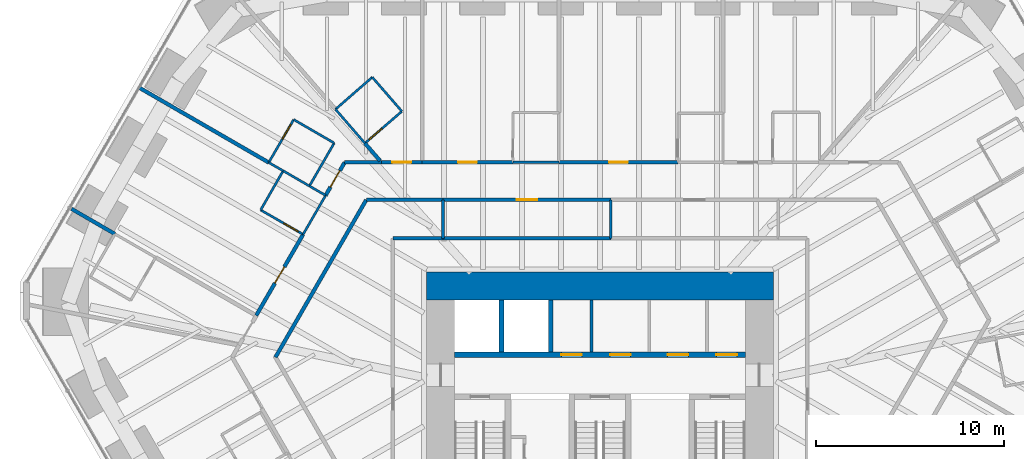
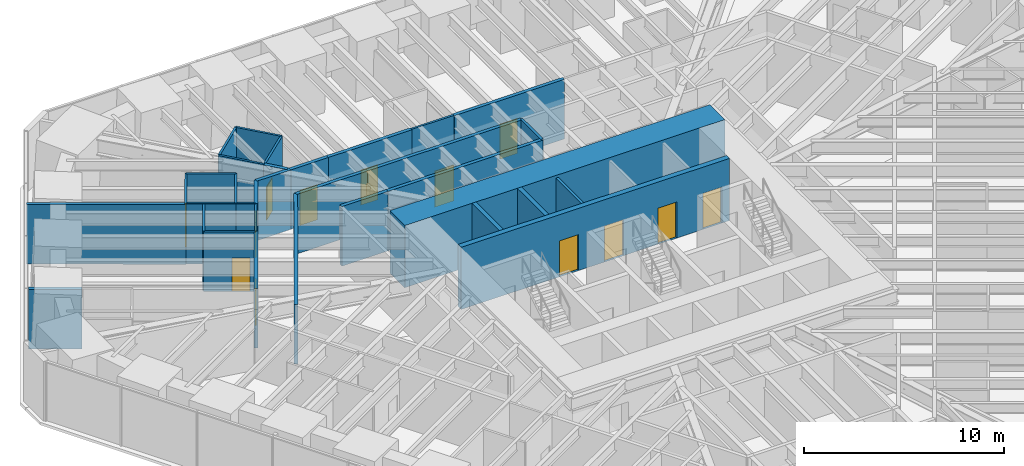
# One storey, part 14 of 17: 35 walls, 13 doors, 13 openings.
"""IFC4 building model written with IfcOpenShell, lengths in metres."""

from ifc_helpers import new_model, si_unit, direction, frame, frame_2d, origin, place, context, subcontext, project, spatial, rectangle, extrude, material, layer, layer_set, type_object, element, fill, save


model = new_model("IFC4")

# Units and contexts
model_context = context("Model", 3, precision=1e-05, world=origin(), true_north=direction((0.0, 1.0)))
body_context = subcontext(model_context, "Body", "Model", "MODEL_VIEW")
ifc_project = project(units=[si_unit("LENGTHUNIT", "METRE"), si_unit("AREAUNIT", "SQUARE_METRE"), si_unit("VOLUMEUNIT", "CUBIC_METRE"), si_unit("PLANEANGLEUNIT", "RADIAN"), si_unit("MASSUNIT", "GRAM", prefix="KILO")], contexts=[model_context])

# Site, building, storey
site_placement = place(None, origin())
site = spatial("IfcSite", under=ifc_project, at=site_placement, CompositionType="ELEMENT")
building_placement = place(site_placement, origin())
building = spatial("IfcBuilding", under=site, at=building_placement, Name="Sandreach Pilgrim Tower", CompositionType="ELEMENT")
storey_placement = place(building_placement, frame((0.0, 0.0, 61.0)))
storey = spatial("IfcBuildingStorey", under=building, at=storey_placement, Name="L14", CompositionType="ELEMENT", Elevation=61.0)

# Walls
ifc_material_1 = material(Name="Gypsum board on steel studs", Category="steel")
ifc_layer_1 = layer(ifc_material_1, 0.14990234375)
ifc_layer_set_1 = layer_set([ifc_layer_1], Name="Back of house wall 150")
wall_type_1 = type_object("IfcWallType", Name="Back of house wall 150", PredefinedType="PARTITIONING", material=ifc_layer_set_1)
wall_1_placement = place(storey_placement, frame((-8.360107421875, 11.449951171875, 0.0), z_axis=(0.0, 0.0, 1.0), x_axis=(0.0, -1.0, 0.0)))
element("IfcWall", 1, at=wall_1_placement, inside=storey, type_object=wall_type_1, Name="Back of house wall L14-057", PredefinedType="PARTITIONING", context=body_context, shape_type="SweptSolid", body=[
    extrude(rectangle(XDim=2.050048828125, YDim=0.14990234375, at=frame_2d((1.02490234375, 0.0))), origin(), (0.0, 0.0, 1.0), 2.8779296875),
])
wall_2_placement = place(storey_placement, frame((0.580078125, 11.449951171875, 0.0), z_axis=(0.0, 0.0, 1.0), x_axis=(0.0, -1.0, 0.0)))
element("IfcWall", 2, at=wall_2_placement, inside=storey, type_object=wall_type_1, Name="Back of house wall L14-090", PredefinedType="PARTITIONING", context=body_context, shape_type="SweptSolid", body=[
    extrude(rectangle(XDim=2.050048828125, YDim=0.14990234375, at=frame_2d((1.02490234375, 0.0))), origin(), (0.0, 0.0, 1.0), 3.639892578125),
])
wall_3_placement = place(storey_placement, frame((-0.449951171875, 3.35009765625, 0.0), z_axis=(0.0, 0.0, 1.0), x_axis=(0.0, 1.0, 0.0)))
element("IfcWall", 3, at=wall_3_placement, inside=storey, type_object=wall_type_1, Name="Core room partition L14 1", PredefinedType="PARTITIONING", context=body_context, shape_type="SweptSolid", body=[
    extrude(rectangle(XDim=2.75, YDim=0.14990234375, at=frame_2d((1.375, 0.0))), origin(), (0.0, 0.0, 1.0), 3.639892578125),
])

# Wall, opening, door
ifc_material_2 = material(Name="Moisture-resistant gypsum board on steel studs", Category="steel")
ifc_layer_2 = layer(ifc_material_2, 0.1201171875)
ifc_layer_set_2 = layer_set([ifc_layer_2], Name="Bathroom partition 120")
wall_type_2 = type_object("IfcWallType", Name="Bathroom partition 120", PredefinedType="PARTITIONING", material=ifc_layer_set_2)
wall_4_placement = place(storey_placement, frame((-18.090087890625, 10.909912109375, 0.0), z_axis=(0.0, 0.0, 1.0), x_axis=(0.866856728041, -0.498557331759, 0.0)))
wall_4 = element("IfcWall", 4, at=wall_4_placement, inside=storey, type_object=wall_type_2, Name="Bathroom partition L14-020", PredefinedType="PARTITIONING", context=body_context, shape_type="SweptSolid", body=[
    extrude(rectangle(XDim=2.607177734375, YDim=0.1201171875, at=frame_2d((1.3037109375, 0.0))), origin(), (0.0, 0.0, 1.0), 3.639892578125),
])
opening_1_placement = place(wall_4_placement, frame((1.4072265625, 0.0, 0.0)))
opening_1 = element("IfcOpeningElement", 5, at=opening_1_placement, cuts=wall_4, Name="Opening D09-19B", PredefinedType="OPENING", context=body_context, shape_type="SweptSolid", body=[
    extrude(rectangle(XDim=0.89990234375, YDim=2.030029296875, at=frame_2d((0.449951171875, 1.01513671875))), frame((0.0, 0.06005859375, 0.0), z_axis=(0.0, -1.0, 0.0), x_axis=(1.0, 0.0, 0.0)), (0.0, 0.0, 1.0), 0.1201171875),
])
ifc_material_3 = material(Name="Timber door, steel frame", Category="steel")
door_type_1 = type_object("IfcDoorType", Name="Bathroom door", OperationType="SINGLE_SWING_LEFT", PredefinedType="DOOR", material=ifc_material_3)
door_1_placement = place(opening_1_placement, origin())
door_1 = element("IfcDoor", 6, at=door_1_placement, inside=storey, type_object=door_type_1, Name="Door 1419B", OperationType="SINGLE_SWING_RIGHT", OverallHeight=2.030029296875, OverallWidth=0.89990234375, PredefinedType="DOOR", context=body_context, shape_type="SweptSolid", body=[
    extrude(rectangle(XDim=0.89990234375, YDim=2.030029296875, at=frame_2d((0.449951171875, 1.01513671875))), frame((0.0, 0.02490234375, 0.0), z_axis=(0.0, -1.0, 0.0), x_axis=(1.0, 0.0, 0.0)), (0.0, 0.0, 1.0), 0.050048828125),
])
fill(opening_1, door_1)

# Walls
wall_5_placement = place(storey_placement, frame((-17.659912109375, 13.43994140625, 0.0), z_axis=(0.0, 0.0, 1.0), x_axis=(0.86820924967, -0.49619824545, 0.0)))
element("IfcWall", 7, at=wall_5_placement, inside=storey, type_object=wall_type_2, Name="Bathroom partition L14-022", PredefinedType="PARTITIONING", context=body_context, shape_type="SweptSolid", body=[
    extrude(rectangle(XDim=0.88671875, YDim=0.1201171875, at=frame_2d((0.443359375, 0.0))), origin(), (0.0, 0.0, 1.0), 3.639892578125),
])
wall_6_placement = place(storey_placement, frame((-16.889892578125, 13.0, 0.0), z_axis=(0.0, 0.0, 1.0), x_axis=(-0.497970509195, -0.867193964446, 0.0)))
element("IfcWall", 8, at=wall_6_placement, inside=storey, type_object=wall_type_2, Name="Bathroom partition L14-024", PredefinedType="PARTITIONING", context=body_context, shape_type="SweptSolid", body=[
    extrude(rectangle(XDim=2.41015625, YDim=0.1201171875, at=frame_2d((1.205078125, 0.0))), origin(), (0.0, 0.0, 1.0), 3.639892578125),
])
wall_7_placement = place(storey_placement, frame((-16.889892578125, 13.0, 0.0), z_axis=(0.0, 0.0, 1.0), x_axis=(0.864822777425, -0.502077248685, 0.0)))
element("IfcWall", 9, at=wall_7_placement, inside=storey, type_object=wall_type_2, Name="Bathroom partition L14-025", PredefinedType="PARTITIONING", context=body_context, shape_type="SweptSolid", body=[
    extrude(rectangle(XDim=1.6171875, YDim=0.1201171875, at=frame_2d((0.80859375, 0.0))), origin(), (0.0, 0.0, 1.0), 3.639892578125),
])

# Wall, opening, door
wall_8_placement = place(storey_placement, frame((-16.330078125, 15.72998046875, 0.0), z_axis=(0.0, 0.0, 1.0), x_axis=(-0.502173326652, -0.864766991738, 0.0)))
wall_8 = element("IfcWall", 10, at=wall_8_placement, inside=storey, type_object=wall_type_2, Name="Bathroom partition L14-029", PredefinedType="PARTITIONING", context=body_context, shape_type="SweptSolid", body=[
    extrude(rectangle(XDim=2.648193359375, YDim=0.1201171875, at=frame_2d((1.32421875, 0.0))), origin(), (0.0, 0.0, 1.0), 3.639892578125),
])
opening_2_placement = place(wall_8_placement, frame((0.300048828125, 0.0, 0.0)))
opening_2 = element("IfcOpeningElement", 11, at=opening_2_placement, cuts=wall_8, Name="Opening D09-20B", PredefinedType="OPENING", context=body_context, shape_type="SweptSolid", body=[
    extrude(rectangle(XDim=0.89990234375, YDim=2.030029296875, at=frame_2d((0.449951171875, 1.01513671875))), frame((0.0, 0.06005859375, 0.0), z_axis=(0.0, -1.0, 0.0), x_axis=(1.0, 0.0, 0.0)), (0.0, 0.0, 1.0), 0.1201171875),
])
door_2_placement = place(opening_2_placement, origin())
door_2 = element("IfcDoor", 12, at=door_2_placement, inside=storey, type_object=door_type_1, Name="Door 1420B", OperationType="SINGLE_SWING_LEFT", OverallHeight=2.030029296875, OverallWidth=0.89990234375, PredefinedType="DOOR", context=body_context, shape_type="SweptSolid", body=[
    extrude(rectangle(XDim=0.89990234375, YDim=2.030029296875, at=frame_2d((0.449951171875, 1.01513671875))), frame((0.0, 0.02490234375, 0.0), z_axis=(0.0, -1.0, 0.0), x_axis=(1.0, 0.0, 0.0)), (0.0, 0.0, 1.0), 0.050048828125),
])
fill(opening_2, door_2)

# Walls
wall_9_placement = place(storey_placement, frame((-15.82666015625, 9.608154296875, 0.0), z_axis=(0.0, 0.0, 1.0), x_axis=(0.499737123639, 0.866177122335, 0.0)))
element("IfcWall", 13, at=wall_9_placement, inside=storey, type_object=wall_type_2, Name="Bathroom partition L14-030", PredefinedType="PARTITIONING", context=body_context, shape_type="SweptSolid", body=[
    extrude(rectangle(XDim=2.401123046875, YDim=0.1201171875, at=frame_2d((1.20068359375, 0.0))), origin(), (0.0, 0.0, 1.0), 3.639892578125),
])
wall_10_placement = place(storey_placement, frame((-15.4912109375, 12.18798828125, 0.0), z_axis=(0.0, 0.0, 1.0), x_axis=(0.865633452576, -0.500678265737, 0.0)))
element("IfcWall", 14, at=wall_10_placement, inside=storey, type_object=wall_type_2, Name="Bathroom partition L14-031", PredefinedType="PARTITIONING", context=body_context, shape_type="SweptSolid", body=[
    extrude(rectangle(XDim=0.99462890625, YDim=0.1201171875, at=frame_2d((0.497314453125, 0.0))), origin(), (0.0, 0.0, 1.0), 3.639892578125),
])
wall_11_placement = place(storey_placement, frame((-15.489990234375, 12.18994140625, 0.0), z_axis=(0.0, 0.0, 1.0), x_axis=(0.499407914056, 0.866366975004, 0.0)))
element("IfcWall", 15, at=wall_11_placement, inside=storey, type_object=wall_type_2, Name="Bathroom partition L14-032", PredefinedType="PARTITIONING", context=body_context, shape_type="SweptSolid", body=[
    extrude(rectangle(XDim=2.643310546875, YDim=0.1201171875, at=frame_2d((1.32177734375, 0.0))), origin(), (0.0, 0.0, 1.0), 3.639892578125),
])
wall_12_placement = place(storey_placement, frame((-14.169921875, 14.47998046875, 0.0), z_axis=(0.0, 0.0, 1.0), x_axis=(-0.865533423938, 0.500851167559, 0.0)))
element("IfcWall", 16, at=wall_12_placement, inside=storey, type_object=wall_type_2, Name="Bathroom partition L14-038", PredefinedType="PARTITIONING", context=body_context, shape_type="SweptSolid", body=[
    extrude(rectangle(XDim=2.495849609375, YDim=0.1201171875, at=frame_2d((1.248046875, 0.0))), origin(), (0.0, 0.0, 1.0), 3.639892578125),
])
wall_13_placement = place(storey_placement, frame((-14.101318359375, 16.27880859375, 0.0), z_axis=(0.0, 0.0, 1.0), x_axis=(0.654868469202, -0.755742871647, 0.0)))
element("IfcWall", 17, at=wall_13_placement, inside=storey, type_object=wall_type_2, Name="Bathroom partition L14-039", PredefinedType="PARTITIONING", context=body_context, shape_type="SweptSolid", body=[
    extrude(rectangle(XDim=2.39599609375, YDim=0.1201171875, at=frame_2d((1.197998046875, 0.0))), origin(), (0.0, 0.0, 1.0), 3.639892578125),
])

# Wall, opening, door
wall_14_placement = place(storey_placement, frame((-12.530029296875, 14.469970703125, 0.0), z_axis=(0.0, 0.0, 1.0), x_axis=(0.757086659925, 0.653314464377, 0.0)))
wall_14 = element("IfcWall", 18, at=wall_14_placement, inside=storey, type_object=wall_type_2, Name="Bathroom partition L14-042", PredefinedType="PARTITIONING", context=body_context, shape_type="SweptSolid", body=[
    extrude(rectangle(XDim=2.60205078125, YDim=0.1201171875, at=frame_2d((1.301025390625, 0.0))), origin(), (0.0, 0.0, 1.0), 3.639892578125),
])
opening_3_placement = place(wall_14_placement, frame((0.300048828125, 0.0, 0.0)))
opening_3 = element("IfcOpeningElement", 19, at=opening_3_placement, cuts=wall_14, Name="Opening D09-01B", PredefinedType="OPENING", context=body_context, shape_type="SweptSolid", body=[
    extrude(rectangle(XDim=0.89990234375, YDim=2.030029296875, at=frame_2d((0.449951171875, 1.01513671875))), frame((0.0, 0.06005859375, 0.0), z_axis=(0.0, -1.0, 0.0), x_axis=(1.0, 0.0, 0.0)), (0.0, 0.0, 1.0), 0.1201171875),
])
door_3_placement = place(opening_3_placement, origin())
door_3 = element("IfcDoor", 20, at=door_3_placement, inside=storey, type_object=door_type_1, Name="Door 1401B", OperationType="SINGLE_SWING_LEFT", OverallHeight=2.030029296875, OverallWidth=0.89990234375, PredefinedType="DOOR", context=body_context, shape_type="SweptSolid", body=[
    extrude(rectangle(XDim=0.89990234375, YDim=2.030029296875, at=frame_2d((0.449951171875, 1.01513671875))), frame((0.0, 0.02490234375, 0.0), z_axis=(0.0, -1.0, 0.0), x_axis=(1.0, 0.0, 0.0)), (0.0, 0.0, 1.0), 0.050048828125),
])
fill(opening_3, door_3)

# Walls
wall_15_placement = place(storey_placement, frame((-12.139892578125, 17.989990234375, 0.0), z_axis=(0.0, 0.0, 1.0), x_axis=(-0.753570046386, -0.657367617996, 0.0)))
element("IfcWall", 21, at=wall_15_placement, inside=storey, type_object=wall_type_2, Name="Bathroom partition L14-045", PredefinedType="PARTITIONING", context=body_context, shape_type="SweptSolid", body=[
    extrude(rectangle(XDim=2.601318359375, YDim=0.1201171875, at=frame_2d((1.30078125, 0.0))), origin(), (0.0, 0.0, 1.0), 3.639892578125),
])
wall_16_placement = place(storey_placement, frame((-10.56005859375, 16.169921875, 0.0), z_axis=(0.0, 0.0, 1.0), x_axis=(-0.65550883331, 0.755187506155, 0.0)))
element("IfcWall", 22, at=wall_16_placement, inside=storey, type_object=wall_type_2, Name="Bathroom partition L14-050", PredefinedType="PARTITIONING", context=body_context, shape_type="SweptSolid", body=[
    extrude(rectangle(XDim=2.41015625, YDim=0.1201171875, at=frame_2d((1.205078125, 0.0))), origin(), (0.0, 0.0, 1.0), 3.639892578125),
])
wall_17_placement = place(storey_placement, frame((-2.18994140625, 13.449951171875, 0.0), z_axis=(0.0, 0.0, 1.0), x_axis=(-1.0, 0.0, 0.0)))
element("IfcWall", 23, at=wall_17_placement, inside=storey, type_object=wall_type_2, Name="Bathroom partition L14-079", PredefinedType="PARTITIONING", context=body_context, shape_type="SweptSolid", body=[
    extrude(rectangle(XDim=2.449951171875, YDim=0.1201171875, at=frame_2d((1.22509765625, 0.0))), origin(), (0.0, 0.0, 1.0), 3.639892578125),
])

# Wall, openings, doors
ifc_material_4 = material(Name="Concrete 10000 psi", Category="concrete")
ifc_layer_3 = layer(ifc_material_4, 0.300048828125)
ifc_layer_set_3 = layer_set([ifc_layer_3], Name="Core inner wall 300")
wall_type_3 = type_object("IfcWallType", Name="Core inner wall 300", PredefinedType="SHEAR", material=ifc_layer_set_3)
wall_18_placement = place(storey_placement, frame((-7.75, 3.199951171875, 0.0), z_axis=(0.0, 0.0, 1.0), x_axis=(1.0, 0.0, 0.0)))
wall_18 = element("IfcWall", 24, at=wall_18_placement, inside=storey, type_object=wall_type_3, Name="Core wall PN L14", PredefinedType="SHEAR", context=body_context, shape_type="SweptSolid", body=[
    extrude(rectangle(XDim=15.5, YDim=0.300048828125, at=frame_2d((7.75, 0.0))), origin(), (0.0, 0.0, 1.0), 3.800048828125),
])
opening_4_placement = place(wall_18_placement, frame((5.6875, 0.0, 0.0)))
opening_4 = element("IfcOpeningElement", 25, at=opening_4_placement, cuts=wall_18, Name="Opening D11L", PredefinedType="OPENING", context=body_context, shape_type="SweptSolid", body=[
    extrude(rectangle(XDim=1.10009765625, YDim=2.199951171875, at=frame_2d((0.550048828125, 1.10009765625))), frame((0.0, 0.14990234375, 0.0), z_axis=(0.0, -1.0, 0.0), x_axis=(1.0, 0.0, 0.0)), (0.0, 0.0, 1.0), 0.300048828125),
])
opening_5_placement = place(wall_18_placement, frame((8.28759765625, 0.0, 0.0)))
opening_5 = element("IfcOpeningElement", 26, at=opening_5_placement, cuts=wall_18, Name="Opening D11L", PredefinedType="OPENING", context=body_context, shape_type="SweptSolid", body=[
    extrude(rectangle(XDim=1.10009765625, YDim=2.199951171875, at=frame_2d((0.550048828125, 1.10009765625))), frame((0.0, 0.14990234375, 0.0), z_axis=(0.0, -1.0, 0.0), x_axis=(1.0, 0.0, 0.0)), (0.0, 0.0, 1.0), 0.300048828125),
])
opening_6_placement = place(wall_18_placement, frame((11.362548828125, 0.0, 0.0)))
opening_6 = element("IfcOpeningElement", 27, at=opening_6_placement, cuts=wall_18, Name="Opening D11L", PredefinedType="OPENING", context=body_context, shape_type="SweptSolid", body=[
    extrude(rectangle(XDim=1.10009765625, YDim=2.199951171875, at=frame_2d((0.550048828125, 1.10009765625))), frame((0.0, 0.14990234375, 0.0), z_axis=(0.0, -1.0, 0.0), x_axis=(1.0, 0.0, 0.0)), (0.0, 0.0, 1.0), 0.300048828125),
])
opening_7_placement = place(wall_18_placement, frame((13.96240234375, 0.0, 0.0)))
opening_7 = element("IfcOpeningElement", 28, at=opening_7_placement, cuts=wall_18, Name="Opening D11L", PredefinedType="OPENING", context=body_context, shape_type="SweptSolid", body=[
    extrude(rectangle(XDim=1.10009765625, YDim=2.199951171875, at=frame_2d((0.550048828125, 1.10009765625))), frame((0.0, 0.14990234375, 0.0), z_axis=(0.0, -1.0, 0.0), x_axis=(1.0, 0.0, 0.0)), (0.0, 0.0, 1.0), 0.300048828125),
])
ifc_material_5 = material(Name="Steel door and frame, smoke seals", Category="steel")
door_type_2 = type_object("IfcDoorType", Name="Core room door", OperationType="SINGLE_SWING_LEFT", PredefinedType="DOOR", material=ifc_material_5)
door_4_placement = place(opening_4_placement, origin())
door_4 = element("IfcDoor", 29, at=door_4_placement, inside=storey, type_object=door_type_2, Name="Door linen and housekeeping store 14K1", OperationType="SINGLE_SWING_LEFT", OverallHeight=2.199951171875, OverallWidth=1.10009765625, PredefinedType="DOOR", context=body_context, shape_type="SweptSolid", body=[
    extrude(rectangle(XDim=1.10009765625, YDim=2.199951171875, at=frame_2d((0.550048828125, 1.10009765625))), frame((0.0, 0.02490234375, 0.0), z_axis=(0.0, -1.0, 0.0), x_axis=(1.0, 0.0, 0.0)), (0.0, 0.0, 1.0), 0.050048828125),
])
fill(opening_4, door_4)
door_5_placement = place(opening_5_placement, origin())
door_5 = element("IfcDoor", 30, at=door_5_placement, inside=storey, type_object=door_type_2, Name="Door cleaners store 14K2", OperationType="SINGLE_SWING_RIGHT", OverallHeight=2.199951171875, OverallWidth=1.10009765625, PredefinedType="DOOR", context=body_context, shape_type="SweptSolid", body=[
    extrude(rectangle(XDim=1.10009765625, YDim=2.199951171875, at=frame_2d((0.550048828125, 1.10009765625))), frame((0.0, 0.02490234375, 0.0), z_axis=(0.0, -1.0, 0.0), x_axis=(1.0, 0.0, 0.0)), (0.0, 0.0, 1.0), 0.050048828125),
])
fill(opening_5, door_5)
door_6_placement = place(opening_6_placement, origin())
door_6 = element("IfcDoor", 31, at=door_6_placement, inside=storey, type_object=door_type_2, Name="Door storage room 14K3", OperationType="SINGLE_SWING_RIGHT", OverallHeight=2.199951171875, OverallWidth=1.10009765625, PredefinedType="DOOR", context=body_context, shape_type="SweptSolid", body=[
    extrude(rectangle(XDim=1.10009765625, YDim=2.199951171875, at=frame_2d((0.550048828125, 1.10009765625))), frame((0.0, 0.02490234375, 0.0), z_axis=(0.0, -1.0, 0.0), x_axis=(1.0, 0.0, 0.0)), (0.0, 0.0, 1.0), 0.050048828125),
])
fill(opening_6, door_6)
door_7_placement = place(opening_7_placement, origin())
door_7 = element("IfcDoor", 32, at=door_7_placement, inside=storey, type_object=door_type_2, Name="Door refuse room 14K4", OperationType="SINGLE_SWING_RIGHT", OverallHeight=2.199951171875, OverallWidth=1.10009765625, PredefinedType="DOOR", context=body_context, shape_type="SweptSolid", body=[
    extrude(rectangle(XDim=1.10009765625, YDim=2.199951171875, at=frame_2d((0.550048828125, 1.10009765625))), frame((0.0, 0.02490234375, 0.0), z_axis=(0.0, -1.0, 0.0), x_axis=(1.0, 0.0, 0.0)), (0.0, 0.0, 1.0), 0.050048828125),
])
fill(opening_7, door_7)

# Wall
ifc_material_6 = material(Name="Concrete 10000 psi", Category="concrete")
ifc_layer_4 = layer(ifc_material_6, 1.5)
ifc_layer_set_4 = layer_set([ifc_layer_4], Name="Core wall 1500")
wall_type_4 = type_object("IfcWallType", Name="Core wall 1500", PredefinedType="SHEAR", material=ifc_layer_set_4)
wall_19_placement = place(storey_placement, frame((-9.25, 6.85009765625, 0.0), z_axis=(0.0, 0.0, 1.0), x_axis=(1.0, 0.0, 0.0)))
element("IfcWall", 33, at=wall_19_placement, inside=storey, type_object=wall_type_4, Name="Core wall N L14", PredefinedType="SHEAR", context=body_context, shape_type="SweptSolid", body=[
    extrude(rectangle(XDim=18.5, YDim=1.5, at=frame_2d((9.25, 0.0))), origin(), (0.0, 0.0, 1.0), 3.800048828125),
])

# Wall, opening, door
ifc_material_7 = material(Name="Gypsum board on steel studs, two layers each side", Category="steel")
ifc_layer_5 = layer(ifc_material_7, 0.199951171875)
ifc_layer_set_5 = layer_set([ifc_layer_5], Name="Corridor wall 200")
wall_type_5 = type_object("IfcWallType", Name="Corridor wall 200", PredefinedType="PARTITIONING", material=ifc_layer_set_5)
wall_20_placement = place(storey_placement, frame((-18.330078125, 5.280029296875, 0.0), z_axis=(0.0, 0.0, 1.0), x_axis=(0.500685921526, 0.865629024459, 0.0)))
wall_20 = element("IfcWall", 34, at=wall_20_placement, inside=storey, type_object=wall_type_5, Name="Corridor wall L14-017", PredefinedType="PARTITIONING", context=body_context, shape_type="SweptSolid", body=[
    extrude(rectangle(XDim=5.0, YDim=0.199951171875, at=frame_2d((2.5, 0.0))), origin(), (0.0, 0.0, 1.0), 3.639892578125),
])
opening_8_placement = place(wall_20_placement, frame((2.0, 0.0, 0.0)))
opening_8 = element("IfcOpeningElement", 35, at=opening_8_placement, cuts=wall_20, Name="Opening D10-19", PredefinedType="OPENING", context=body_context, shape_type="SweptSolid", body=[
    extrude(rectangle(XDim=1.0, YDim=2.1298828125, at=frame_2d((0.5, 1.06494140625))), frame((0.0, 0.10009765625, 0.0), z_axis=(0.0, -1.0, 0.0), x_axis=(1.0, 0.0, 0.0)), (0.0, 0.0, 1.0), 0.199951171875),
])
ifc_material_8 = material(Name="Steel door and frame", Category="steel")
door_type_3 = type_object("IfcDoorType", Name="Guest room entry door", OperationType="SINGLE_SWING_LEFT", PredefinedType="DOOR", material=ifc_material_8)
door_8_placement = place(opening_8_placement, origin())
door_8 = element("IfcDoor", 36, at=door_8_placement, inside=storey, type_object=door_type_3, Name="Door 1419", OperationType="SINGLE_SWING_LEFT", OverallHeight=2.1298828125, OverallWidth=1.0, PredefinedType="DOOR", context=body_context, shape_type="SweptSolid", body=[
    extrude(rectangle(XDim=1.0, YDim=2.1298828125, at=frame_2d((0.5, 1.06494140625))), frame((0.0, 0.02490234375, 0.0), z_axis=(0.0, -1.0, 0.0), x_axis=(1.0, 0.0, 0.0)), (0.0, 0.0, 1.0), 0.050048828125),
])
fill(opening_8, door_8)

# Wall
wall_21_placement = place(storey_placement, frame((-17.300048828125, 3.06005859375, 0.0), z_axis=(0.0, 0.0, 1.0), x_axis=(0.499704269421, 0.866196076603, 0.0)))
element("IfcWall", 37, at=wall_21_placement, inside=storey, type_object=wall_type_5, Name="Corridor wall L14-023", PredefinedType="PARTITIONING", context=body_context, shape_type="SweptSolid", body=[
    extrude(rectangle(XDim=9.685791015625, YDim=0.199951171875, at=frame_2d((4.8427734375, 0.0))), origin(), (0.0, 0.0, 1.0), 3.639892578125),
])

# Wall, opening, door
wall_22_placement = place(storey_placement, frame((-14.626708984375, 11.68798828125, 0.0), z_axis=(0.0, 0.0, 1.0), x_axis=(0.49975362313, 0.866167602816, 0.0)))
wall_22 = element("IfcWall", 38, at=wall_22_placement, inside=storey, type_object=wall_type_5, Name="Corridor wall L14-035", PredefinedType="PARTITIONING", context=body_context, shape_type="SweptSolid", body=[
    extrude(rectangle(XDim=2.0341796875, YDim=0.199951171875, at=frame_2d((1.01708984375, 0.0))), origin(), (0.0, 0.0, 1.0), 3.639892578125),
])
opening_9_placement = place(wall_22_placement, frame((0.51708984375, 0.0, 0.0)))
opening_9 = element("IfcOpeningElement", 39, at=opening_9_placement, cuts=wall_22, Name="Opening D10-20", PredefinedType="OPENING", context=body_context, shape_type="SweptSolid", body=[
    extrude(rectangle(XDim=1.0, YDim=2.1298828125, at=frame_2d((0.5, 1.06494140625))), frame((0.0, 0.10009765625, 0.0), z_axis=(0.0, -1.0, 0.0), x_axis=(1.0, 0.0, 0.0)), (0.0, 0.0, 1.0), 0.199951171875),
])
door_9_placement = place(opening_9_placement, origin())
door_9 = element("IfcDoor", 40, at=door_9_placement, inside=storey, type_object=door_type_3, Name="Door 1420", OperationType="SINGLE_SWING_LEFT", OverallHeight=2.1298828125, OverallWidth=1.0, PredefinedType="DOOR", context=body_context, shape_type="SweptSolid", body=[
    extrude(rectangle(XDim=1.0, YDim=2.1298828125, at=frame_2d((0.5, 1.06494140625))), frame((0.0, 0.02490234375, 0.0), z_axis=(0.0, -1.0, 0.0), x_axis=(1.0, 0.0, 0.0)), (0.0, 0.0, 1.0), 0.050048828125),
])
fill(opening_9, door_9)

# Walls
wall_23_placement = place(storey_placement, frame((-12.4599609375, 11.449951171875, 0.0), z_axis=(0.0, 0.0, 1.0), x_axis=(1.0, 0.0, 0.0)))
element("IfcWall", 41, at=wall_23_placement, inside=storey, type_object=wall_type_5, Name="Corridor wall L14-043", PredefinedType="PARTITIONING", context=body_context, shape_type="SweptSolid", body=[
    extrude(rectangle(XDim=4.099853515625, YDim=0.199951171875, at=frame_2d((2.0498046875, 0.0))), origin(), (0.0, 0.0, 1.0), 3.639892578125),
])
wall_24_placement = place(storey_placement, frame((-11.64990234375, 13.449951171875, 0.0), z_axis=(0.0, 0.0, 1.0), x_axis=(-1.0, 0.0, 0.0)))
element("IfcWall", 42, at=wall_24_placement, inside=storey, type_object=wall_type_5, Name="Corridor wall L14-046", PredefinedType="PARTITIONING", context=body_context, shape_type="SweptSolid", body=[
    extrude(rectangle(XDim=1.960205078125, YDim=0.199951171875, at=frame_2d((0.97998046875, 0.0))), origin(), (0.0, 0.0, 1.0), 3.639892578125),
])

# Wall, opening, door
wall_25_placement = place(storey_placement, frame((-9.47998046875, 13.449951171875, 0.0), z_axis=(0.0, 0.0, 1.0), x_axis=(-1.0, 0.0, 0.0)))
wall_25 = element("IfcWall", 43, at=wall_25_placement, inside=storey, type_object=wall_type_5, Name="Corridor wall L14-054", PredefinedType="PARTITIONING", context=body_context, shape_type="SweptSolid", body=[
    extrude(rectangle(XDim=2.169921875, YDim=0.199951171875, at=frame_2d((1.0849609375, 0.0))), origin(), (0.0, 0.0, 1.0), 3.639892578125),
])
opening_10_placement = place(wall_25_placement, frame((0.5849609375, 0.0, 0.0)))
opening_10 = element("IfcOpeningElement", 44, at=opening_10_placement, cuts=wall_25, Name="Opening D10-01", PredefinedType="OPENING", context=body_context, shape_type="SweptSolid", body=[
    extrude(rectangle(XDim=1.0, YDim=2.1298828125, at=frame_2d((0.5, 1.06494140625))), frame((0.0, 0.10009765625, 0.0), z_axis=(0.0, -1.0, 0.0), x_axis=(1.0, 0.0, 0.0)), (0.0, 0.0, 1.0), 0.199951171875),
])
door_10_placement = place(opening_10_placement, origin())
door_10 = element("IfcDoor", 45, at=door_10_placement, inside=storey, type_object=door_type_3, Name="Door 1401", OperationType="SINGLE_SWING_LEFT", OverallHeight=2.1298828125, OverallWidth=1.0, PredefinedType="DOOR", context=body_context, shape_type="SweptSolid", body=[
    extrude(rectangle(XDim=1.0, YDim=2.1298828125, at=frame_2d((0.5, 1.06494140625))), frame((0.0, 0.02490234375, 0.0), z_axis=(0.0, -1.0, 0.0), x_axis=(1.0, 0.0, 0.0)), (0.0, 0.0, 1.0), 0.050048828125),
])
fill(opening_10, door_10)

# Wall
wall_26_placement = place(storey_placement, frame((-8.360107421875, 9.39990234375, 0.0), z_axis=(0.0, 0.0, 1.0), x_axis=(-1.0, 0.0, 0.0)))
element("IfcWall", 46, at=wall_26_placement, inside=storey, type_object=wall_type_5, Name="Corridor wall L14-056", PredefinedType="PARTITIONING", context=body_context, shape_type="SweptSolid", body=[
    extrude(rectangle(XDim=2.679931640625, YDim=0.199951171875, at=frame_2d((1.33984375, 0.0))), origin(), (0.0, 0.0, 1.0), 3.639892578125),
])

# Wall, opening, door
wall_27_placement = place(storey_placement, frame((-8.360107421875, 11.449951171875, 0.0), z_axis=(0.0, 0.0, 1.0), x_axis=(1.0, 0.0, 0.0)))
wall_27 = element("IfcWall", 47, at=wall_27_placement, inside=storey, type_object=wall_type_5, Name="Corridor wall L14-058", PredefinedType="PARTITIONING", context=body_context, shape_type="SweptSolid", body=[
    extrude(rectangle(XDim=8.940185546875, YDim=0.199951171875, at=frame_2d((4.47021484375, 0.0))), origin(), (0.0, 0.0, 1.0), 3.639892578125),
])
opening_11_placement = place(wall_27_placement, frame((3.919921875, 0.0, 0.0)))
opening_11 = element("IfcOpeningElement", 48, at=opening_11_placement, cuts=wall_27, Name="Opening D11H-M02", PredefinedType="OPENING", context=body_context, shape_type="SweptSolid", body=[
    extrude(rectangle(XDim=1.10009765625, YDim=2.199951171875, at=frame_2d((0.550048828125, 1.10009765625))), frame((0.0, 0.10009765625, 0.0), z_axis=(0.0, -1.0, 0.0), x_axis=(1.0, 0.0, 0.0)), (0.0, 0.0, 1.0), 0.199951171875),
])
ifc_material_9 = material(Name="Steel door and frame", Category="steel")
door_type_4 = type_object("IfcDoorType", Name="Back of house door", OperationType="SINGLE_SWING_LEFT", PredefinedType="DOOR", material=ifc_material_9)
door_11_placement = place(opening_11_placement, origin())
door_11 = element("IfcDoor", 49, at=door_11_placement, inside=storey, type_object=door_type_4, Name="Door 14M02", OperationType="SINGLE_SWING_LEFT", OverallHeight=2.199951171875, OverallWidth=1.10009765625, PredefinedType="DOOR", context=body_context, shape_type="SweptSolid", body=[
    extrude(rectangle(XDim=1.10009765625, YDim=2.199951171875, at=frame_2d((0.550048828125, 1.10009765625))), frame((0.0, 0.02490234375, 0.0), z_axis=(0.0, -1.0, 0.0), x_axis=(1.0, 0.0, 0.0)), (0.0, 0.0, 1.0), 0.050048828125),
])
fill(opening_11, door_11)

wall_28_placement = place(storey_placement, frame((-4.639892578125, 13.449951171875, 0.0), z_axis=(0.0, 0.0, 1.0), x_axis=(-1.0, 0.0, 0.0)))
wall_28 = element("IfcWall", 50, at=wall_28_placement, inside=storey, type_object=wall_type_5, Name="Corridor wall L14-067", PredefinedType="PARTITIONING", context=body_context, shape_type="SweptSolid", body=[
    extrude(rectangle(XDim=4.840087890625, YDim=0.199951171875, at=frame_2d((2.419921875, 0.0))), origin(), (0.0, 0.0, 1.0), 3.639892578125),
])
opening_12_placement = place(wall_28_placement, frame((1.919921875, 0.0, 0.0)))
opening_12 = element("IfcOpeningElement", 51, at=opening_12_placement, cuts=wall_28, Name="Opening D10-02", PredefinedType="OPENING", context=body_context, shape_type="SweptSolid", body=[
    extrude(rectangle(XDim=1.0, YDim=2.1298828125, at=frame_2d((0.5, 1.06494140625))), frame((0.0, 0.10009765625, 0.0), z_axis=(0.0, -1.0, 0.0), x_axis=(1.0, 0.0, 0.0)), (0.0, 0.0, 1.0), 0.199951171875),
])
door_12_placement = place(opening_12_placement, origin())
door_12 = element("IfcDoor", 52, at=door_12_placement, inside=storey, type_object=door_type_3, Name="Door 1402", OperationType="SINGLE_SWING_LEFT", OverallHeight=2.1298828125, OverallWidth=1.0, PredefinedType="DOOR", context=body_context, shape_type="SweptSolid", body=[
    extrude(rectangle(XDim=1.0, YDim=2.1298828125, at=frame_2d((0.5, 1.06494140625))), frame((0.0, 0.02490234375, 0.0), z_axis=(0.0, -1.0, 0.0), x_axis=(1.0, 0.0, 0.0)), (0.0, 0.0, 1.0), 0.050048828125),
])
fill(opening_12, door_12)

# Wall
wall_29_placement = place(storey_placement, frame((0.580078125, 9.39990234375, 0.0), z_axis=(0.0, 0.0, 1.0), x_axis=(-1.0, 0.0, 0.0)))
element("IfcWall", 53, at=wall_29_placement, inside=storey, type_object=wall_type_5, Name="Corridor wall L14-089", PredefinedType="PARTITIONING", context=body_context, shape_type="SweptSolid", body=[
    extrude(rectangle(XDim=8.940185546875, YDim=0.199951171875, at=frame_2d((4.47021484375, 0.0))), origin(), (0.0, 0.0, 1.0), 3.639892578125),
])

# Wall, opening, door
wall_30_placement = place(storey_placement, frame((4.159912109375, 13.449951171875, 0.0), z_axis=(0.0, 0.0, 1.0), x_axis=(-1.0, 0.0, 0.0)))
wall_30 = element("IfcWall", 54, at=wall_30_placement, inside=storey, type_object=wall_type_5, Name="Corridor wall L14-095", PredefinedType="PARTITIONING", context=body_context, shape_type="SweptSolid", body=[
    extrude(rectangle(XDim=6.349853515625, YDim=0.199951171875, at=frame_2d((3.1748046875, 0.0))), origin(), (0.0, 0.0, 1.0), 3.639892578125),
])
opening_13_placement = place(wall_30_placement, frame((2.675048828125, 0.0, 0.0)))
opening_13 = element("IfcOpeningElement", 55, at=opening_13_placement, cuts=wall_30, Name="Opening D10-03", PredefinedType="OPENING", context=body_context, shape_type="SweptSolid", body=[
    extrude(rectangle(XDim=1.0, YDim=2.1298828125, at=frame_2d((0.5, 1.06494140625))), frame((0.0, 0.10009765625, 0.0), z_axis=(0.0, -1.0, 0.0), x_axis=(1.0, 0.0, 0.0)), (0.0, 0.0, 1.0), 0.199951171875),
])
door_13_placement = place(opening_13_placement, origin())
door_13 = element("IfcDoor", 56, at=door_13_placement, inside=storey, type_object=door_type_3, Name="Door 1403", OperationType="SINGLE_SWING_LEFT", OverallHeight=2.1298828125, OverallWidth=1.0, PredefinedType="DOOR", context=body_context, shape_type="SweptSolid", body=[
    extrude(rectangle(XDim=1.0, YDim=2.1298828125, at=frame_2d((0.5, 1.06494140625))), frame((0.0, 0.02490234375, 0.0), z_axis=(0.0, -1.0, 0.0), x_axis=(1.0, 0.0, 0.0)), (0.0, 0.0, 1.0), 0.050048828125),
])
fill(opening_13, door_13)

# Walls
ifc_material_10 = material(Name="Double steel stud acoustic wall, gypsum board", Category="steel")
ifc_layer_6 = layer(ifc_material_10, 0.199951171875)
ifc_layer_set_6 = layer_set([ifc_layer_6], Name="Party wall 200")
wall_type_6 = type_object("IfcWallType", Name="Party wall 200", PredefinedType="PARTITIONING", material=ifc_layer_set_6)
wall_31_placement = place(storey_placement, frame((-28.176025390625, 10.969970703125, 0.0), z_axis=(0.0, 0.0, 1.0), x_axis=(0.865563676017, -0.500798884543, 0.0)))
element("IfcWall", 57, at=wall_31_placement, inside=storey, type_object=wall_type_6, Name="Party wall L14-002", PredefinedType="PARTITIONING", context=body_context, shape_type="SweptSolid", body=[
    extrude(rectangle(XDim=2.67578125, YDim=0.199951171875, at=frame_2d((1.337890625, 0.0))), origin(), (0.0, 0.0, 1.0), 3.639892578125),
])
wall_32_placement = place(storey_placement, frame((-24.553955078125, 17.425048828125, 0.0), z_axis=(0.0, 0.0, 1.0), x_axis=(0.865762644918, -0.500454835789, 0.0)))
element("IfcWall", 58, at=wall_32_placement, inside=storey, type_object=wall_type_6, Name="Party wall L14-007", PredefinedType="PARTITIONING", context=body_context, shape_type="SweptSolid", body=[
    extrude(rectangle(XDim=7.962890625, YDim=0.199951171875, at=frame_2d((3.9814453125, 0.0))), origin(), (0.0, 0.0, 1.0), 3.639892578125),
])
wall_33_placement = place(storey_placement, frame((-12.5322265625, 14.468017578125, 0.0), z_axis=(0.0, 0.0, 1.0), x_axis=(0.654877937884, -0.755734666714, 0.0)))
element("IfcWall", 59, at=wall_33_placement, inside=storey, type_object=wall_type_6, Name="Party wall L14-041", PredefinedType="PARTITIONING", context=body_context, shape_type="SweptSolid", body=[
    extrude(rectangle(XDim=1.237060546875, YDim=0.199951171875, at=frame_2d((0.61865234375, 0.0))), origin(), (0.0, 0.0, 1.0), 3.639892578125),
])
ifc_material_11 = material(Name="Gypsum shaft wall on steel studs, two layers of shaft liner board", Category="steel")
ifc_layer_7 = layer(ifc_material_11, 0.25)
ifc_layer_set_7 = layer_set([ifc_layer_7], Name="Shaft partition 250")
wall_type_7 = type_object("IfcWallType", Name="Shaft partition 250", PredefinedType="PARTITIONING", material=ifc_layer_set_7)
for number, where, z_axis, x_axis, name in (
    (60, (-5.25, 3.35009765625, 0.0), (0.0, 0.0, 1.0), (0.0, 1.0, 0.0), "Shaft partition NS0 L14"),
    (61, (-2.625, 3.35009765625, 0.0), (0.0, 0.0, 1.0), (0.0, 1.0, 0.0), "Shaft partition NS1 L14"),
):
    element("IfcWall", number, at=place(storey_placement, frame(where, z_axis=z_axis, x_axis=x_axis)), inside=storey, type_object=wall_type_7, Name=name, PredefinedType="PARTITIONING", context=body_context, shape_type="SweptSolid", body=[
        extrude(rectangle(XDim=2.75, YDim=0.25, at=frame_2d((1.375, 0.0))), origin(), (0.0, 0.0, 1.0), 3.800048828125),
    ])

save(model, "model.ifc")
